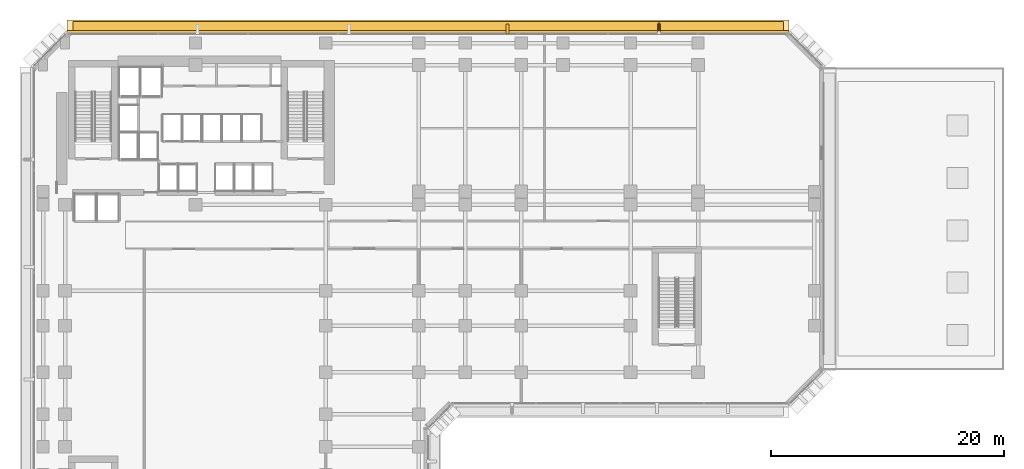
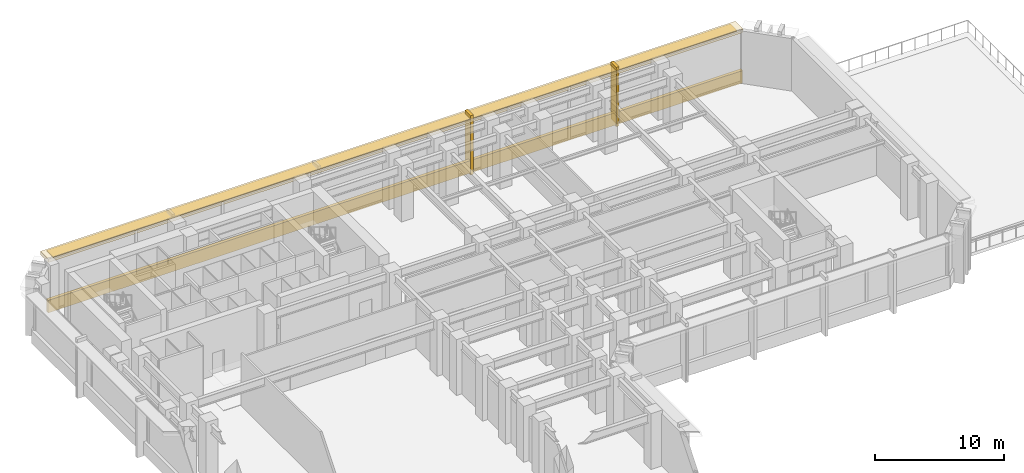
# One storey, part 15 of 16: 4 coverings, 2 shading devices.
"""IFC4 building model written with IfcOpenShell, lengths in metres."""

from ifc_helpers import new_model, si_unit, direction, frame, origin, origin_2d, place, context, subcontext, project, spatial, rectangle, extrude, material, layer, layer_set, material_profile, profile_set, type_object, element, save


model = new_model("IFC4")

# Units and contexts
model_context = context("Model", 3, precision=1e-05, world=origin(), true_north=direction((0.0, 1.0)))
body_context = subcontext(model_context, "Body", "Model", "MODEL_VIEW")
ifc_project = project(units=[si_unit("LENGTHUNIT", "METRE"), si_unit("AREAUNIT", "SQUARE_METRE"), si_unit("VOLUMEUNIT", "CUBIC_METRE"), si_unit("PLANEANGLEUNIT", "RADIAN"), si_unit("MASSUNIT", "GRAM", prefix="KILO")], contexts=[model_context])

# Site, building, storey
site_placement = place(None, origin())
site = spatial("IfcSite", under=ifc_project, at=site_placement, CompositionType="ELEMENT")
building_placement = place(site_placement, origin())
building = spatial("IfcBuilding", under=site, at=building_placement, Name="Kefirva Bronze Tower", CompositionType="ELEMENT")
storey_placement = place(building_placement, frame((0.0, 0.0, 11.219970703125)))
storey = spatial("IfcBuildingStorey", under=building, at=storey_placement, Name="L02", CompositionType="ELEMENT", Elevation=11.219970703125)

# Covering
ifc_material = material(Name="Bronze anodised aluminium", Category="aluminium")
ifc_layer_1 = layer(ifc_material, 0.02001953125, Name="Bronze anodised aluminium")
ifc_layer_set_1 = layer_set([ifc_layer_1], Name="Bronze anodised aluminium")
covering_type_1 = type_object("IfcCoveringType", Name="Anodised Bronze Spandrel Cladding 20mm", PredefinedType="CLADDING", material=ifc_layer_set_1)
covering_1_placement = place(storey_placement, frame((32.0, 48.0400390625, -0.16015625), z_axis=(0.0, 0.0, 1.0), x_axis=(-1.0, 0.0, 0.0)))
element("IfcCovering", 1, at=covering_1_placement, inside=storey, type_object=covering_type_1, Name="L02 Streamline Horizontal Spandrel Band 8", PredefinedType="CLADDING", context=body_context, shape_type="SweptSolid", body=[
    extrude(rectangle(XDim=62.0400390625, YDim=0.280029296875, at=origin_2d()), origin(), (0.0, 0.0, 1.0), 1.179931640625),
])

# Shading device
ifc_layer_2 = layer(ifc_material, 0.1201171875, Name="Bronze anodised aluminium")
ifc_layer_set_2 = layer_set([ifc_layer_2], Name="Bronze anodised aluminium")
shading_device_type_1 = type_object("IfcShadingDeviceType", Name="Podium Deep Bronze Canopy Sunshade 1050mm", PredefinedType="JALOUSIE", material=ifc_layer_set_2)
shading_device_1_placement = place(storey_placement, frame((32.0, 48.445068359375, 4.85498046875), z_axis=(0.0, 0.0, 1.0), x_axis=(-1.0, 0.0, 0.0)))
element("IfcShadingDevice", 2, at=shading_device_1_placement, inside=storey, type_object=shading_device_type_1, Name="L02 Horizontal Bronze Sunshade Band 8", PredefinedType="JALOUSIE", context=body_context, shape_type="SweptSolid", body=[
    extrude(rectangle(XDim=61.090087890625, YDim=1.050048828125, at=origin_2d()), origin(), (0.0, 0.0, 1.0), 0.090087890625),
])

# Coverings
ifc_layer_3 = layer(ifc_material, 0.179931640625, Name="Bronze anodised aluminium")
ifc_layer_set_3 = layer_set([ifc_layer_3], Name="Bronze anodised aluminium")
covering_type_2 = type_object("IfcCoveringType", Name="Streamline Bronze Sunshade Eyebrow Cladding 180mm", PredefinedType="CLADDING", material=ifc_layer_set_3)
covering_2_placement = place(storey_placement, frame((32.0, 48.4599609375, 4.64013671875), z_axis=(0.0, 0.0, 1.0), x_axis=(-1.0, 0.0, 0.0)))
element("IfcCovering", 3, at=covering_2_placement, inside=storey, type_object=covering_type_2, Name="L02 Streamline Bronze Sunshade Eyebrow 8", PredefinedType="CLADDING", context=body_context, shape_type="SweptSolid", body=[
    extrude(rectangle(XDim=62.080078125, YDim=1.239990234375, at=origin_2d()), origin(), (0.0, 0.0, 1.0), 0.320068359375),
])
ifc_layer_4 = layer(ifc_material, 0.260009765625, Name="Bronze anodised aluminium")
ifc_layer_set_4 = layer_set([ifc_layer_4], Name="Bronze anodised aluminium")
covering_type_3 = type_object("IfcCoveringType", Name="Unbroken Bronze Buttress Fin Cladding 260mm", PredefinedType="CLADDING", material=ifc_layer_set_4)
for number, where, z_axis, x_axis, name in (
    (4, (51.840087890625, 48.300048828125, -0.320068359375), (0.0, 0.0, 1.0), (-1.0, 0.0, 0.0), "L02 Unbroken Vertical Bronze Rib Fin 19"),
    (5, (38.820068359375, 48.300048828125, -0.320068359375), (0.0, 0.0, 1.0), (-1.0, 0.0, 0.0), "L02 Unbroken Vertical Bronze Rib Fin 20"),
):
    element("IfcCovering", number, at=place(storey_placement, frame(where, z_axis=z_axis, x_axis=x_axis)), inside=storey, type_object=covering_type_3, Name=name, PredefinedType="CLADDING", context=body_context, shape_type="SweptSolid", body=[
        extrude(rectangle(XDim=0.260009765625, YDim=0.8798828125, at=origin_2d()), origin(), (0.0, 0.0, 1.0), 5.60009765625),
    ])

# Shading device
ifc_material_profile = material_profile(ifc_material, rectangle(XDim=0.139892578125, YDim=0.8798828125, at=origin_2d()), Name="BRONZE FIN 140x880")
ifc_profile_set = profile_set([ifc_material_profile], Name="Bronze anodised aluminium")
shading_device_type_2 = type_object("IfcShadingDeviceType", Name="Unbroken Vertical Bronze Facade Fin 880mm", PredefinedType="USERDEFINED", material=ifc_profile_set)
shading_device_2_placement = place(storey_placement, frame((51.840087890625, 48.360107421875, -0.139892578125), z_axis=(0.0, 0.0, 1.0), x_axis=(-1.0, 0.0, 0.0)))
element("IfcShadingDevice", 6, at=shading_device_2_placement, inside=storey, type_object=shading_device_type_2, Name="L02 Vertical Bronze Rib Fin 19", ObjectType="VERTICAL FIN", PredefinedType="USERDEFINED", context=body_context, shape_type="SweptSolid", body=[
    extrude(rectangle(XDim=0.139892578125, YDim=0.8798828125, at=origin_2d()), origin(), (0.0, 0.0, 1.0), 5.099853515625),
])

save(model, "model.ifc")
